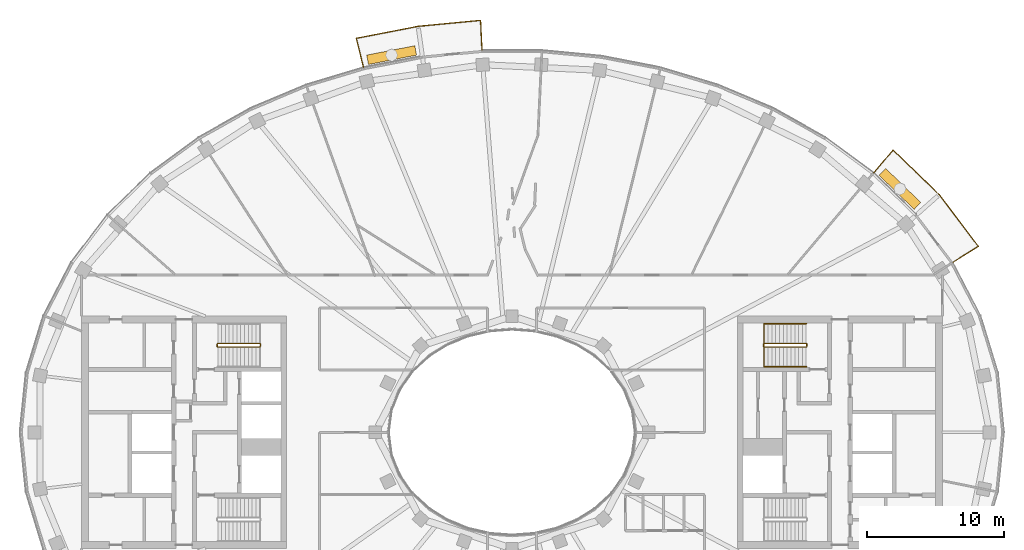
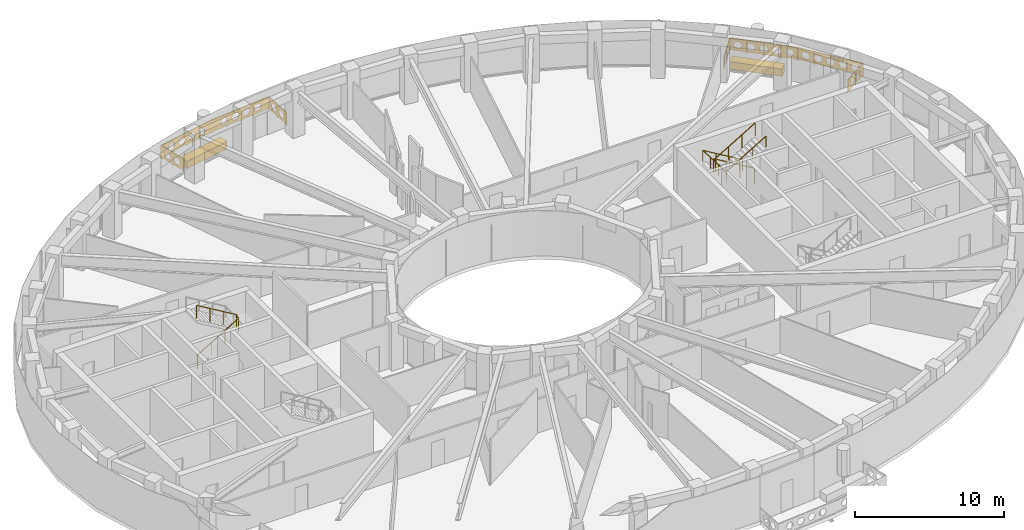
# One storey, part 15 of 16: 5 railings, 2 coverings.
"""IFC4 building model written with IfcOpenShell, lengths in metres."""

import ifcopenshell
import ifcopenshell.guid

model = None  # the IFC model being written
_history = None  # IfcOwnerHistory: only IFC2X3 demands one
_inside = {}  # id of a spatial element -> (the spatial element, [elements in it])
_under = {}  # id of a project, library or spatial element -> (it, [spatial elements below it])
_declared = {}  # id of a project -> (the project, [libraries it declares])
_typed = {}  # id of a type object -> (the type object, [elements of that type])
_made_of = {}  # id of a material, layer set ... -> (it, [elements and type objects made of it])


def new_model(schema):
    """Start an empty IFC model of exactly this schema.

    Asked for "IFC4X3", IfcOpenShell would pick the latest addendum, in which some entities
    have other attributes; the version numbers below select the first issue.
    IFC2X3 requires an IfcOwnerHistory on every rooted entity: one is made here for all.
    """
    global model, _history
    if schema == "IFC4X3":
        model = ifcopenshell.file(schema_version=(4, 3, 0, 0))
    else:
        model = ifcopenshell.file(schema=schema)
    _inside.clear()
    _under.clear()
    _declared.clear()
    _typed.clear()
    _made_of.clear()
    _history = None
    if model.schema == "IFC2X3":
        org = make("IfcOrganization", Name="unknown")
        user = make(
            "IfcPersonAndOrganization",
            ThePerson=make("IfcPerson", FamilyName="unknown"),
            TheOrganization=org,
        )
        app = make(
            "IfcApplication",
            ApplicationDeveloper=org,
            Version="unknown",
            ApplicationFullName="unknown",
            ApplicationIdentifier="unknown",
        )
        _history = make(
            "IfcOwnerHistory",
            OwningUser=user,
            OwningApplication=app,
            ChangeAction="ADDED",
            CreationDate=0,
        )
    return model


def make(cls, **values):
    """One entity of the class cls with the attributes given. An attribute that is None is left unset."""
    return model.create_entity(
        cls, **{name: value for name, value in values.items() if value is not None}
    )


def rooted(cls, **values):
    """An entity with a GlobalId (a new one), such as an element, a storey or a relation."""
    return make(cls, GlobalId=ifcopenshell.guid.new(), OwnerHistory=_history, **values)


def si_unit(unit_type, name, prefix=None):
    """IfcSIUnit, for example si_unit("LENGTHUNIT", "METRE", prefix="MILLI")."""
    return make("IfcSIUnit", UnitType=unit_type, Prefix=prefix, Name=name)


def assignment(units):
    """IfcUnitAssignment: the units of a project."""
    return None if units is None else make("IfcUnitAssignment", Units=units)


def point(xyz):
    """IfcCartesianPoint."""
    return None if xyz is None else make("IfcCartesianPoint", Coordinates=xyz)


def direction(xyz):
    """IfcDirection."""
    return None if xyz is None else make("IfcDirection", DirectionRatios=xyz)


def frame(location, z_axis=None, x_axis=None):
    """IfcAxis2Placement3D, a coordinate frame: its origin and axes. An axis left out is left unset."""
    return make(
        "IfcAxis2Placement3D",
        Location=point(location),
        Axis=direction(z_axis),
        RefDirection=direction(x_axis),
    )


def frame_2d(location, x_axis=None):
    """IfcAxis2Placement2D, a coordinate frame in the plane: its origin and x axis."""
    return make(
        "IfcAxis2Placement2D", Location=point(location), RefDirection=direction(x_axis)
    )


def origin():
    """The frame at (0, 0, 0) with its axes left unset."""
    return frame((0.0, 0.0, 0.0))


def origin_2d():
    """The frame at (0, 0) in the plane with its x axis left unset."""
    return frame_2d((0.0, 0.0))


def place(relative_to, where):
    """IfcLocalPlacement: puts the frame where relative to a parent placement (None: the world)."""
    return make(
        "IfcLocalPlacement", PlacementRelTo=relative_to, RelativePlacement=where
    )


def context(
    kind, dimensions, precision=None, world=None, true_north=None, identifier=None
):
    """IfcGeometricRepresentationContext, for example the 3D "Model" context."""
    return make(
        "IfcGeometricRepresentationContext",
        ContextIdentifier=identifier,
        ContextType=kind,
        CoordinateSpaceDimension=dimensions,
        Precision=precision,
        WorldCoordinateSystem=world,
        TrueNorth=true_north,
    )


def subcontext(parent, identifier, kind, view, scale=None):
    """IfcGeometricRepresentationSubContext, for example "Body" below "Model"."""
    return make(
        "IfcGeometricRepresentationSubContext",
        ContextIdentifier=identifier,
        ContextType=kind,
        ParentContext=parent,
        TargetScale=scale,
        TargetView=view,
    )


def project(units=None, contexts=None):
    """IfcProject with its units and contexts."""
    return rooted(
        "IfcProject",
        Name="project",
        RepresentationContexts=contexts,
        UnitsInContext=assignment(units),
    )


def spatial(cls, under=None, at=None, **own):
    """A site, building, storey or space (cls), placed at a placement, below another one or the project."""
    s = rooted(cls, ObjectPlacement=at, **own)
    if under is not None:
        _under.setdefault(under.id(), (under, []))[1].append(s)
    return s


def polyline(points):
    """IfcPolyline through the points."""
    return make("IfcPolyline", Points=[point(p) for p in points])


def profile(cls, at=None, kind="AREA", **sizes):
    """A parametric profile (cls). Its sizes go by their IFC names, for example OverallWidth=200.0."""
    return make(cls, ProfileType=kind, Position=at, **sizes)


def rectangle(**sizes):
    """IfcRectangleProfileDef."""
    return profile("IfcRectangleProfileDef", **sizes)


def outline(outer, holes=None, kind="AREA"):
    """IfcArbitraryClosedProfileDef: a profile drawn as a closed curve; with holes, ...WithVoids."""
    if holes is None:
        return make("IfcArbitraryClosedProfileDef", ProfileType=kind, OuterCurve=outer)
    return make(
        "IfcArbitraryProfileDefWithVoids",
        ProfileType=kind,
        OuterCurve=outer,
        InnerCurves=holes,
    )


def extrude(swept, where, along, depth):
    """IfcExtrudedAreaSolid: the profile swept, set in the frame where, extruded along a direction by depth."""
    return make(
        "IfcExtrudedAreaSolid",
        SweptArea=swept,
        Position=where,
        ExtrudedDirection=direction(along),
        Depth=depth,
    )


def shape(context_of_items, identifier, shape_type, items):
    """IfcShapeRepresentation: the items that make up one representation, for example the "Body"."""
    return make(
        "IfcShapeRepresentation",
        ContextOfItems=context_of_items,
        RepresentationIdentifier=identifier,
        RepresentationType=shape_type,
        Items=items,
    )


def material(Name=None, Category=None):
    """IfcMaterial."""
    return make("IfcMaterial", Name=Name, Category=Category)


def made_of(thing, what):
    """Note that an element or type object is made of a material, layer set ...; save() writes the relation."""
    if what is not None:
        _made_of.setdefault(what.id(), (what, []))[1].append(thing)
    return thing


def type_object(cls, material=None, **own):
    """A type object (cls), such as IfcWallType, which elements share."""
    return made_of(rooted(cls, **own), material)


def element(
    cls,
    number,
    at=None,
    inside=None,
    cuts=None,
    type_object=None,
    material=None,
    context=None,
    identifier="Body",
    shape_type=None,
    held_by="IfcProductDefinitionShape",
    body=None,
    shapes=None,
    **own,
):
    """One element of the class cls, such as IfcWall. Its Tag is "e" and its number.

    at: its placement. inside: the storey or other place that contains it. cuts: it is an
    opening in that element (IfcRelVoidsElement). A single representation is given by context,
    identifier, shape_type and body (its items); several are given by shapes. held_by: the class
    of the entity that holds the representations. save() writes the other relations.
    """
    e = rooted(cls, Tag="e%d" % number, ObjectPlacement=at, **own)
    if body is not None:
        shapes = [shape(context, identifier, shape_type, body)]
    if shapes is not None:
        e.Representation = make(held_by, Representations=shapes)
    if inside is not None:
        _inside.setdefault(inside.id(), (inside, []))[1].append(e)
    if cuts is not None:
        rooted(
            "IfcRelVoidsElement", RelatingBuildingElement=cuts, RelatedOpeningElement=e
        )
    if type_object is not None:
        _typed.setdefault(type_object.id(), (type_object, []))[1].append(e)
    return made_of(e, material)


def aggregate(whole, parts):
    """IfcRelAggregates: a whole, such as a stair, and the parts it consists of."""
    return rooted("IfcRelAggregates", RelatingObject=whole, RelatedObjects=parts)


def save(model, path):
    """Write the relations noted so far, then the file.

    IfcRelAggregates (storeys below a building ...), IfcRelContainedInSpatialStructure (elements
    in a storey), IfcRelDefinesByType, IfcRelAssociatesMaterial and IfcRelDeclares: one each for
    every whole, place, type object, material and project.
    """
    for whole, parts in _under.values():
        aggregate(whole, parts)
    for where, things in _inside.values():
        rooted(
            "IfcRelContainedInSpatialStructure",
            RelatedElements=things,
            RelatingStructure=where,
        )
    for kind, things in _typed.values():
        rooted("IfcRelDefinesByType", RelatedObjects=things, RelatingType=kind)
    for what, things in _made_of.values():
        rooted("IfcRelAssociatesMaterial", RelatedObjects=things, RelatingMaterial=what)
    for by, libraries in _declared.values():
        rooted("IfcRelDeclares", RelatingContext=by, RelatedDefinitions=libraries)
    model.write(path)


model = new_model("IFC4")

# Units and contexts
model_context = context("Model", 3, precision=1e-05, world=origin(), true_north=direction((0.0, 1.0)))
body_context = subcontext(model_context, "Body", "Model", "MODEL_VIEW")
ifc_project = project(units=[si_unit("LENGTHUNIT", "METRE"), si_unit("AREAUNIT", "SQUARE_METRE"), si_unit("VOLUMEUNIT", "CUBIC_METRE"), si_unit("PLANEANGLEUNIT", "RADIAN"), si_unit("MASSUNIT", "GRAM", prefix="KILO")], contexts=[model_context])

# Site, building, storey
site_placement = place(None, origin())
site = spatial("IfcSite", under=ifc_project, at=site_placement, CompositionType="ELEMENT")
building_placement = place(site_placement, origin())
building = spatial("IfcBuilding", under=site, at=building_placement, Name="Noorbagh Ring Tower", CompositionType="ELEMENT")
storey_placement = place(building_placement, frame((0.0, 0.0, 311.0)))
storey = spatial("IfcBuildingStorey", under=building, at=storey_placement, Name="L67", CompositionType="ELEMENT", Elevation=311.0)

# Railings
ifc_material_1 = material(Name="Stainless steel", Category="steel")
railing_type_1 = type_object("IfcRailingType", Name="CORE-STAIR-GUARD", PredefinedType="GUARDRAIL", material=ifc_material_1)
railing_1_placement = place(storey_placement, frame((-21.580078125, 6.300048828125, 0.0)))
element("IfcRailing", 1, at=railing_1_placement, inside=storey, type_object=railing_type_1, Name="L67 ST1 stair guard", PredefinedType="GUARDRAIL", context=body_context, shape_type="SweptSolid", body=[
    extrude(rectangle(XDim=0.048095703125, YDim=0.048095703125, at=origin_2d()), frame((0.0, 0.0, 1.076171875), z_axis=(0.0, 1.0, 0.0), x_axis=(-1.0, 0.0, 0.0)), (0.0, 0.0, 1.0), 0.14990234375),
    extrude(rectangle(XDim=0.048095703125, YDim=0.048095703125, at=origin_2d()), frame((0.0, 0.14990234375, 1.076171875), z_axis=(0.188775798145, -0.754182335027, 0.628945707965), x_axis=(0.970072785993, 0.242814311512, 0.0)), (0.0, 0.0, 1.0), 0.26513671875),
    extrude(rectangle(XDim=0.048095703125, YDim=0.048095703125, at=origin_2d()), frame((0.050048828125, -0.050048828125, 1.24267578125), z_axis=(0.859308565015, 0.0, 0.511457515432), x_axis=(0.0, 1.0, 0.0)), (0.0, 0.0, 1.0), 3.58447265625),
    extrude(rectangle(XDim=0.048095703125, YDim=0.048095703125, at=origin_2d()), frame((3.130126953125, -0.050048828125, 3.076171875), z_axis=(0.707106781187, 0.707106781187, 0.0), x_axis=(-0.707106781187, 0.707106781187, 0.0)), (0.0, 0.0, 1.0), 0.07080078125),
    extrude(rectangle(XDim=0.048095703125, YDim=0.048095703125, at=origin_2d()), frame((3.18017578125, 0.0, 3.076171875), z_axis=(0.0, 1.0, 0.0), x_axis=(-1.0, 0.0, 0.0)), (0.0, 0.0, 1.0), 0.14990234375),
    extrude(rectangle(XDim=0.048095703125, YDim=0.048095703125, at=origin_2d()), frame((3.18017578125, 0.14990234375, 3.076171875), z_axis=(-0.27628659633, 0.27628659633, 0.920506074601), x_axis=(-0.707106781187, -0.707106781187, 0.0)), (0.0, 0.0, 1.0), 0.18115234375),
    extrude(rectangle(XDim=0.048095703125, YDim=0.048095703125, at=origin_2d()), frame((3.130126953125, 0.199951171875, 3.24267578125), z_axis=(-0.859308565015, 0.0, 0.511457515432), x_axis=(0.0, -1.0, 0.0)), (0.0, 0.0, 1.0), 3.58447265625),
    extrude(rectangle(XDim=0.0419921875, YDim=0.0419921875, at=origin_2d()), origin(), (0.0, 0.0, 1.0), 1.052001953125),
    extrude(rectangle(XDim=0.0419921875, YDim=0.0419921875, at=origin_2d()), frame((1.07666015625, -0.050048828125, 0.77783203125)), (0.0, 0.0, 1.0), 1.052001953125),
    extrude(rectangle(XDim=0.0419921875, YDim=0.0419921875, at=origin_2d()), frame((2.103515625, -0.050048828125, 1.388916015625)), (0.0, 0.0, 1.0), 1.052001953125),
    extrude(rectangle(XDim=0.0419921875, YDim=0.0419921875, at=origin_2d()), frame((3.130126953125, -0.050048828125, 2.0)), (0.0, 0.0, 1.0), 1.052001953125),
    extrude(rectangle(XDim=0.0419921875, YDim=0.0419921875, at=origin_2d()), frame((3.130126953125, 0.199951171875, 2.166748046875)), (0.0, 0.0, 1.0), 1.052001953125),
    extrude(rectangle(XDim=0.0419921875, YDim=0.0419921875, at=origin_2d()), frame((2.103515625, 0.199951171875, 2.77783203125)), (0.0, 0.0, 1.0), 1.052001953125),
    extrude(rectangle(XDim=0.0419921875, YDim=0.0419921875, at=origin_2d()), frame((1.07666015625, 0.199951171875, 3.388916015625)), (0.0, 0.0, 1.0), 1.052001953125),
    extrude(rectangle(XDim=0.0419921875, YDim=0.0419921875, at=origin_2d()), frame((0.050048828125, 0.199951171875, 4.0)), (0.0, 0.0, 1.0), 1.052001953125),
])
railing_2_placement = place(storey_placement, frame((21.580078125, 6.449951171875, 0.0)))
element("IfcRailing", 2, at=railing_2_placement, inside=storey, type_object=railing_type_1, Name="L67 ST3 stair guard", PredefinedType="GUARDRAIL", context=body_context, shape_type="SweptSolid", body=[
    extrude(rectangle(XDim=0.048095703125, YDim=0.048095703125, at=origin_2d()), frame((0.0, 0.0, 1.076171875), z_axis=(0.0, -1.0, 0.0), x_axis=(1.0, 0.0, 0.0)), (0.0, 0.0, 1.0), 0.14990234375),
    extrude(rectangle(XDim=0.048095703125, YDim=0.048095703125, at=origin_2d()), frame((0.0, -0.14990234375, 1.076171875), z_axis=(-0.188775798145, 0.754182335027, 0.628945707965), x_axis=(-0.970072785993, -0.242814311512, 0.0)), (0.0, 0.0, 1.0), 0.26513671875),
    extrude(rectangle(XDim=0.048095703125, YDim=0.048095703125, at=origin_2d()), frame((-0.050048828125, 0.050048828125, 1.24267578125), z_axis=(-0.859308565015, 0.0, 0.511457515432), x_axis=(0.0, -1.0, 0.0)), (0.0, 0.0, 1.0), 3.58447265625),
    extrude(rectangle(XDim=0.048095703125, YDim=0.048095703125, at=origin_2d()), frame((-3.130126953125, 0.050048828125, 3.076171875), z_axis=(-0.707106781187, -0.707106781187, 0.0), x_axis=(0.707106781187, -0.707106781187, 0.0)), (0.0, 0.0, 1.0), 0.07080078125),
    extrude(rectangle(XDim=0.048095703125, YDim=0.048095703125, at=origin_2d()), frame((-3.18017578125, 0.0, 3.076171875), z_axis=(0.0, -1.0, 0.0), x_axis=(1.0, 0.0, 0.0)), (0.0, 0.0, 1.0), 0.14990234375),
    extrude(rectangle(XDim=0.048095703125, YDim=0.048095703125, at=origin_2d()), frame((-3.18017578125, -0.14990234375, 3.076171875), z_axis=(0.27628659633, -0.27628659633, 0.920506074601), x_axis=(0.707106781187, 0.707106781187, 0.0)), (0.0, 0.0, 1.0), 0.18115234375),
    extrude(rectangle(XDim=0.048095703125, YDim=0.048095703125, at=origin_2d()), frame((-3.130126953125, -0.199951171875, 3.24267578125), z_axis=(0.859308565015, 0.0, 0.511457515432), x_axis=(0.0, 1.0, 0.0)), (0.0, 0.0, 1.0), 3.58447265625),
    extrude(rectangle(XDim=0.0419921875, YDim=0.0419921875, at=origin_2d()), origin(), (0.0, 0.0, 1.0), 1.052001953125),
    extrude(rectangle(XDim=0.0419921875, YDim=0.0419921875, at=origin_2d()), frame((-1.07666015625, 0.050048828125, 0.77783203125)), (0.0, 0.0, 1.0), 1.052001953125),
    extrude(rectangle(XDim=0.0419921875, YDim=0.0419921875, at=origin_2d()), frame((-2.103515625, 0.050048828125, 1.388916015625)), (0.0, 0.0, 1.0), 1.052001953125),
    extrude(rectangle(XDim=0.0419921875, YDim=0.0419921875, at=origin_2d()), frame((-3.130126953125, 0.050048828125, 2.0)), (0.0, 0.0, 1.0), 1.052001953125),
    extrude(rectangle(XDim=0.0419921875, YDim=0.0419921875, at=origin_2d()), frame((-3.130126953125, -0.199951171875, 2.166748046875)), (0.0, 0.0, 1.0), 1.052001953125),
    extrude(rectangle(XDim=0.0419921875, YDim=0.0419921875, at=origin_2d()), frame((-2.103515625, -0.199951171875, 2.77783203125)), (0.0, 0.0, 1.0), 1.052001953125),
    extrude(rectangle(XDim=0.0419921875, YDim=0.0419921875, at=origin_2d()), frame((-1.07666015625, -0.199951171875, 3.388916015625)), (0.0, 0.0, 1.0), 1.052001953125),
    extrude(rectangle(XDim=0.0419921875, YDim=0.0419921875, at=origin_2d()), frame((-0.050048828125, -0.199951171875, 4.0)), (0.0, 0.0, 1.0), 1.052001953125),
])
ifc_material_2 = material(Name="Stainless steel", Category="steel")
railing_type_2 = type_object("IfcRailingType", Name="CORE-STAIR-HANDRAIL", PredefinedType="HANDRAIL", material=ifc_material_2)
railing_3_placement = place(storey_placement, frame((21.530029296875, 7.949951171875, 0.166748046875)))
element("IfcRailing", 3, at=railing_3_placement, inside=storey, type_object=railing_type_2, Name="L67 ST3 stair handrail", PredefinedType="HANDRAIL", context=body_context, shape_type="SweptSolid", body=[
    extrude(rectangle(XDim=0.048095703125, YDim=0.048095703125, at=origin_2d()), frame((0.0, 0.0, 0.8759765625), z_axis=(-0.859308565015, 0.0, 0.511457515432), x_axis=(0.0, -1.0, 0.0)), (0.0, 0.0, 1.0), 3.58447265625),
    extrude(rectangle(XDim=0.048095703125, YDim=0.048095703125, at=origin_2d()), frame((-3.080078125, 0.0, 2.708984375), z_axis=(0.0, -0.998601747152, 0.052863509014), x_axis=(1.0, 0.0, 0.0)), (0.0, 0.0, 1.0), 3.154296875),
    extrude(rectangle(XDim=0.048095703125, YDim=0.048095703125, at=origin_2d()), frame((-3.080078125, -3.14990234375, 2.8759765625), z_axis=(0.859308565015, 0.0, 0.511457515432), x_axis=(0.0, 1.0, 0.0)), (0.0, 0.0, 1.0), 3.58447265625),
    extrude(rectangle(XDim=0.0419921875, YDim=0.0419921875, at=origin_2d()), origin(), (0.0, 0.0, 1.0), 0.851806640625),
    extrude(rectangle(XDim=0.0419921875, YDim=0.0419921875, at=origin_2d()), frame((-1.026611328125, 0.0, 0.611083984375)), (0.0, 0.0, 1.0), 0.851806640625),
    extrude(rectangle(XDim=0.0419921875, YDim=0.0419921875, at=origin_2d()), frame((-2.053466796875, 0.0, 1.22216796875)), (0.0, 0.0, 1.0), 0.851806640625),
    extrude(rectangle(XDim=0.0419921875, YDim=0.0419921875, at=origin_2d()), frame((-3.080078125, 0.0, 1.833251953125)), (0.0, 0.0, 1.0), 0.851806640625),
    extrude(rectangle(XDim=0.0419921875, YDim=0.0419921875, at=origin_2d()), frame((-3.080078125, -1.050048828125, 1.888916015625)), (0.0, 0.0, 1.0), 0.851806640625),
    extrude(rectangle(XDim=0.0419921875, YDim=0.0419921875, at=origin_2d()), frame((-3.080078125, -2.099853515625, 1.9443359375)), (0.0, 0.0, 1.0), 0.851806640625),
    extrude(rectangle(XDim=0.0419921875, YDim=0.0419921875, at=origin_2d()), frame((-3.080078125, -3.14990234375, 2.0)), (0.0, 0.0, 1.0), 0.851806640625),
    extrude(rectangle(XDim=0.0419921875, YDim=0.0419921875, at=origin_2d()), frame((-2.053466796875, -3.14990234375, 2.611083984375)), (0.0, 0.0, 1.0), 0.851806640625),
    extrude(rectangle(XDim=0.0419921875, YDim=0.0419921875, at=origin_2d()), frame((-1.026611328125, -3.14990234375, 3.22216796875)), (0.0, 0.0, 1.0), 0.851806640625),
    extrude(rectangle(XDim=0.0419921875, YDim=0.0419921875, at=origin_2d()), frame((0.0, -3.14990234375, 3.833251953125)), (0.0, 0.0, 1.0), 0.851806640625),
])
ifc_material_3 = material(Name="Steel S275 black powder-coated", Category="steel")
railing_type_3 = type_object("IfcRailingType", Name="ENV-GUARD", PredefinedType="GUARDRAIL", material=ifc_material_3)
railing_4_placement = place(storey_placement, frame((32.255126953125, 12.434814453125, 0.0)))
element("IfcRailing", 4, at=railing_4_placement, inside=storey, type_object=railing_type_3, Name="Balcony guard BN01", PredefinedType="GUARDRAIL", context=body_context, shape_type="SweptSolid", body=[
    extrude(rectangle(XDim=0.048095703125, YDim=0.048095703125, at=origin_2d()), frame((0.0, 0.0, 1.076171875), z_axis=(0.844852397829, 0.534999463442, 0.0), x_axis=(-0.534999463442, 0.844852397829, 0.0)), (0.0, 0.0, 1.0), 2.207763671875),
    extrude(rectangle(XDim=0.048095703125, YDim=0.048095703125, at=origin_2d()), frame((1.865234375, 1.18115234375, 1.076171875), z_axis=(-0.604001613322, 0.796983093362, 0.0), x_axis=(-0.796983093362, -0.604001613322, 0.0)), (0.0, 0.0, 1.0), 4.7353515625),
    extrude(rectangle(XDim=0.048095703125, YDim=0.048095703125, at=origin_2d()), frame((-0.994873046875, 4.955078125, 1.076171875), z_axis=(-0.717212632946, 0.696854388766, 0.0), x_axis=(-0.696854388766, -0.717212632946, 0.0)), (0.0, 0.0, 1.0), 4.700927734375),
    extrude(rectangle(XDim=0.048095703125, YDim=0.048095703125, at=origin_2d()), frame((-4.366455078125, 8.23095703125, 1.076171875), z_axis=(-0.646413574048, -0.762987215677, 0.0), x_axis=(0.762987215677, -0.646413574048, 0.0)), (0.0, 0.0, 1.0), 2.205322265625),
    extrude(rectangle(XDim=0.0419921875, YDim=0.0419921875, at=origin_2d()), origin(), (0.0, 0.0, 1.0), 1.052001953125),
    extrude(rectangle(XDim=0.0419921875, YDim=0.0419921875, at=origin_2d()), frame((0.9326171875, 0.590576171875, 0.0)), (0.0, 0.0, 1.0), 1.052001953125),
    extrude(rectangle(XDim=0.0419921875, YDim=0.0419921875, at=origin_2d()), frame((1.865234375, 1.18115234375, 0.0)), (0.0, 0.0, 1.0), 1.052001953125),
    extrude(rectangle(XDim=0.0419921875, YDim=0.0419921875, at=origin_2d()), frame((1.150146484375, 2.12451171875, 0.0)), (0.0, 0.0, 1.0), 1.052001953125),
    extrude(rectangle(XDim=0.0419921875, YDim=0.0419921875, at=origin_2d()), frame((0.43505859375, 3.068115234375, 0.0)), (0.0, 0.0, 1.0), 1.052001953125),
    extrude(rectangle(XDim=0.0419921875, YDim=0.0419921875, at=origin_2d()), frame((-0.27978515625, 4.01171875, 0.0)), (0.0, 0.0, 1.0), 1.052001953125),
    extrude(rectangle(XDim=0.0419921875, YDim=0.0419921875, at=origin_2d()), frame((-0.994873046875, 4.955078125, 0.0)), (0.0, 0.0, 1.0), 1.052001953125),
    extrude(rectangle(XDim=0.0419921875, YDim=0.0419921875, at=origin_2d()), frame((-1.837890625, 5.77392578125, 0.0)), (0.0, 0.0, 1.0), 1.052001953125),
    extrude(rectangle(XDim=0.0419921875, YDim=0.0419921875, at=origin_2d()), frame((-2.6806640625, 6.593017578125, 0.0)), (0.0, 0.0, 1.0), 1.052001953125),
    extrude(rectangle(XDim=0.0419921875, YDim=0.0419921875, at=origin_2d()), frame((-3.5234375, 7.412109375, 0.0)), (0.0, 0.0, 1.0), 1.052001953125),
    extrude(rectangle(XDim=0.0419921875, YDim=0.0419921875, at=origin_2d()), frame((-4.366455078125, 8.23095703125, 0.0)), (0.0, 0.0, 1.0), 1.052001953125),
    extrude(rectangle(XDim=0.0419921875, YDim=0.0419921875, at=origin_2d()), frame((-5.0791015625, 7.3896484375, 0.0)), (0.0, 0.0, 1.0), 1.052001953125),
    extrude(rectangle(XDim=0.0419921875, YDim=0.0419921875, at=origin_2d()), frame((-5.7919921875, 6.54833984375, 0.0)), (0.0, 0.0, 1.0), 1.052001953125),
    extrude(outline(polyline([(0.0, 0.10009765625), (2.207763671875, 0.10009765625), (2.207763671875, 1.031982421875), (0.0, 1.031982421875), (0.0, 0.10009765625)]), holes=[polyline([(0.9638671875, 0.56591796875), (0.808837890625, 0.83447265625), (0.498779296875, 0.83447265625), (0.343994140625, 0.56591796875), (0.498779296875, 0.297607421875), (0.808837890625, 0.297607421875), (0.9638671875, 0.56591796875)]), polyline([(1.86376953125, 0.56591796875), (1.708984375, 0.83447265625), (1.39892578125, 0.83447265625), (1.243896484375, 0.56591796875), (1.39892578125, 0.297607421875), (1.708984375, 0.297607421875), (1.86376953125, 0.56591796875)])]), frame((-0.00537109375, 0.008544921875, 0.0), z_axis=(0.534999463442, -0.844852397829, 0.0), x_axis=(0.844852397829, 0.534999463442, 0.0)), (0.0, 0.0, 1.0), 0.02001953125),
    extrude(outline(polyline([(0.0, 0.10009765625), (4.7353515625, 0.10009765625), (4.7353515625, 1.031982421875), (0.0, 1.031982421875), (0.0, 0.10009765625)]), holes=[polyline([(0.877685546875, 0.56591796875), (0.72265625, 0.83447265625), (0.41259765625, 0.83447265625), (0.257568359375, 0.56591796875), (0.41259765625, 0.297607421875), (0.72265625, 0.297607421875), (0.877685546875, 0.56591796875)]), polyline([(1.777587890625, 0.56591796875), (1.62255859375, 0.83447265625), (1.312744140625, 0.83447265625), (1.15771484375, 0.56591796875), (1.312744140625, 0.297607421875), (1.62255859375, 0.297607421875), (1.777587890625, 0.56591796875)]), polyline([(2.677734375, 0.56591796875), (2.522705078125, 0.83447265625), (2.212646484375, 0.83447265625), (2.0576171875, 0.56591796875), (2.212646484375, 0.297607421875), (2.522705078125, 0.297607421875), (2.677734375, 0.56591796875)]), polyline([(3.57763671875, 0.56591796875), (3.422607421875, 0.83447265625), (3.112548828125, 0.83447265625), (2.95751953125, 0.56591796875), (3.112548828125, 0.297607421875), (3.422607421875, 0.297607421875), (3.57763671875, 0.56591796875)]), polyline([(4.4775390625, 0.56591796875), (4.32275390625, 0.83447265625), (4.0126953125, 0.83447265625), (3.857666015625, 0.56591796875), (4.0126953125, 0.297607421875), (4.32275390625, 0.297607421875), (4.4775390625, 0.56591796875)])]), frame((1.857177734375, 1.175048828125, 0.0), z_axis=(0.796983093362, 0.604001613322, 0.0), x_axis=(-0.604001613322, 0.796983093362, 0.0)), (0.0, 0.0, 1.0), 0.02001953125),
    extrude(outline(polyline([(0.0, 0.10009765625), (4.700927734375, 0.10009765625), (4.700927734375, 1.031982421875), (0.0, 1.031982421875), (0.0, 0.10009765625)]), holes=[polyline([(0.860595703125, 0.56591796875), (0.70556640625, 0.83447265625), (0.3955078125, 0.83447265625), (0.240478515625, 0.56591796875), (0.3955078125, 0.297607421875), (0.70556640625, 0.297607421875), (0.860595703125, 0.56591796875)]), polyline([(1.760498046875, 0.56591796875), (1.60546875, 0.83447265625), (1.29541015625, 0.83447265625), (1.140380859375, 0.56591796875), (1.29541015625, 0.297607421875), (1.60546875, 0.297607421875), (1.760498046875, 0.56591796875)]), polyline([(2.660400390625, 0.56591796875), (2.50537109375, 0.83447265625), (2.195556640625, 0.83447265625), (2.04052734375, 0.56591796875), (2.195556640625, 0.297607421875), (2.50537109375, 0.297607421875), (2.660400390625, 0.56591796875)]), polyline([(3.560546875, 0.56591796875), (3.405517578125, 0.83447265625), (3.095458984375, 0.83447265625), (2.9404296875, 0.56591796875), (3.095458984375, 0.297607421875), (3.405517578125, 0.297607421875), (3.560546875, 0.56591796875)]), polyline([(4.46044921875, 0.56591796875), (4.305419921875, 0.83447265625), (3.995361328125, 0.83447265625), (3.840576171875, 0.56591796875), (3.995361328125, 0.297607421875), (4.305419921875, 0.297607421875), (4.46044921875, 0.56591796875)])]), frame((-1.001953125, 4.947998046875, 0.0), z_axis=(0.696854388766, 0.717212632946, 0.0), x_axis=(-0.717212632946, 0.696854388766, 0.0)), (0.0, 0.0, 1.0), 0.02001953125),
    extrude(outline(polyline([(0.0, 0.10009765625), (2.205322265625, 0.10009765625), (2.205322265625, 1.031982421875), (0.0, 1.031982421875), (0.0, 0.10009765625)]), holes=[polyline([(0.962646484375, 0.56591796875), (0.8076171875, 0.83447265625), (0.49755859375, 0.83447265625), (0.342529296875, 0.56591796875), (0.49755859375, 0.297607421875), (0.8076171875, 0.297607421875), (0.962646484375, 0.56591796875)]), polyline([(1.862548828125, 0.56591796875), (1.707763671875, 0.83447265625), (1.397705078125, 0.83447265625), (1.24267578125, 0.56591796875), (1.397705078125, 0.297607421875), (1.707763671875, 0.297607421875), (1.862548828125, 0.56591796875)])]), frame((-4.35888671875, 8.224609375, 0.0), z_axis=(-0.762987215677, 0.646413574048, 0.0), x_axis=(-0.646413574048, -0.762987215677, 0.0)), (0.0, 0.0, 1.0), 0.02001953125),
])
railing_5_placement = place(storey_placement, frame((-2.193115234375, 27.947998046875, 0.0)))
element("IfcRailing", 5, at=railing_5_placement, inside=storey, type_object=railing_type_3, Name="Balcony guard BN04", PredefinedType="GUARDRAIL", context=body_context, shape_type="SweptSolid", body=[
    extrude(rectangle(XDim=0.048095703125, YDim=0.048095703125, at=origin_2d()), frame((0.0, 0.0, 1.076171875), z_axis=(-0.047554616162, 0.998868639252, 0.0), x_axis=(-0.998868639252, -0.047554616162, 0.0)), (0.0, 0.0, 1.0), 2.202392578125),
    extrude(rectangle(XDim=0.048095703125, YDim=0.048095703125, at=origin_2d()), frame((-0.104736328125, 2.199951171875, 1.076171875), z_axis=(-0.995477555764, -0.094997031379, 0.0), x_axis=(0.094997031379, -0.995477555764, 0.0)), (0.0, 0.0, 1.0), 4.59765625),
    extrude(rectangle(XDim=0.048095703125, YDim=0.048095703125, at=origin_2d()), frame((-4.681640625, 1.76318359375, 1.076171875), z_axis=(-0.981625049064, -0.1908199755, 0.0), x_axis=(0.1908199755, -0.981625049064, 0.0)), (0.0, 0.0, 1.0), 4.603271484375),
    extrude(rectangle(XDim=0.048095703125, YDim=0.048095703125, at=origin_2d()), frame((-9.200439453125, 0.884765625, 1.076171875), z_axis=(0.239848558412, -0.970810315679, 0.0), x_axis=(0.970810315679, 0.239848558412, 0.0)), (0.0, 0.0, 1.0), 2.20263671875),
    extrude(rectangle(XDim=0.0419921875, YDim=0.0419921875, at=origin_2d()), origin(), (0.0, 0.0, 1.0), 1.052001953125),
    extrude(rectangle(XDim=0.0419921875, YDim=0.0419921875, at=origin_2d()), frame((-0.05224609375, 1.10009765625, 0.0)), (0.0, 0.0, 1.0), 1.052001953125),
    extrude(rectangle(XDim=0.0419921875, YDim=0.0419921875, at=origin_2d()), frame((-0.104736328125, 2.199951171875, 0.0)), (0.0, 0.0, 1.0), 1.052001953125),
    extrude(rectangle(XDim=0.0419921875, YDim=0.0419921875, at=origin_2d()), frame((-1.2490234375, 2.0908203125, 0.0)), (0.0, 0.0, 1.0), 1.052001953125),
    extrude(rectangle(XDim=0.0419921875, YDim=0.0419921875, at=origin_2d()), frame((-2.39306640625, 1.9814453125, 0.0)), (0.0, 0.0, 1.0), 1.052001953125),
    extrude(rectangle(XDim=0.0419921875, YDim=0.0419921875, at=origin_2d()), frame((-3.537353515625, 1.872314453125, 0.0)), (0.0, 0.0, 1.0), 1.052001953125),
    extrude(rectangle(XDim=0.0419921875, YDim=0.0419921875, at=origin_2d()), frame((-4.681640625, 1.76318359375, 0.0)), (0.0, 0.0, 1.0), 1.052001953125),
    extrude(rectangle(XDim=0.0419921875, YDim=0.0419921875, at=origin_2d()), frame((-5.811279296875, 1.54345703125, 0.0)), (0.0, 0.0, 1.0), 1.052001953125),
    extrude(rectangle(XDim=0.0419921875, YDim=0.0419921875, at=origin_2d()), frame((-6.94091796875, 1.323974609375, 0.0)), (0.0, 0.0, 1.0), 1.052001953125),
    extrude(rectangle(XDim=0.0419921875, YDim=0.0419921875, at=origin_2d()), frame((-8.07080078125, 1.1044921875, 0.0)), (0.0, 0.0, 1.0), 1.052001953125),
    extrude(rectangle(XDim=0.0419921875, YDim=0.0419921875, at=origin_2d()), frame((-9.200439453125, 0.884765625, 0.0)), (0.0, 0.0, 1.0), 1.052001953125),
    extrude(rectangle(XDim=0.0419921875, YDim=0.0419921875, at=origin_2d()), frame((-8.936279296875, -0.1845703125, 0.0)), (0.0, 0.0, 1.0), 1.052001953125),
    extrude(rectangle(XDim=0.0419921875, YDim=0.0419921875, at=origin_2d()), frame((-8.672119140625, -1.253662109375, 0.0)), (0.0, 0.0, 1.0), 1.052001953125),
    extrude(outline(polyline([(0.0, 0.10009765625), (2.202392578125, 0.10009765625), (2.202392578125, 1.031982421875), (0.0, 1.031982421875), (0.0, 0.10009765625)]), holes=[polyline([(0.961181640625, 0.56591796875), (0.80615234375, 0.83447265625), (0.496337890625, 0.83447265625), (0.34130859375, 0.56591796875), (0.496337890625, 0.297607421875), (0.80615234375, 0.297607421875), (0.961181640625, 0.56591796875)]), polyline([(1.861328125, 0.56591796875), (1.706298828125, 0.83447265625), (1.396240234375, 0.83447265625), (1.2412109375, 0.56591796875), (1.396240234375, 0.297607421875), (1.706298828125, 0.297607421875), (1.861328125, 0.56591796875)])]), frame((-0.010009765625, -0.00048828125, 0.0), z_axis=(0.998868639252, 0.047554616162, 0.0), x_axis=(-0.047554616162, 0.998868639252, 0.0)), (0.0, 0.0, 1.0), 0.02001953125),
    extrude(outline(polyline([(0.0, 0.10009765625), (4.59765625, 0.10009765625), (4.59765625, 1.031982421875), (0.0, 1.031982421875), (0.0, 0.10009765625)]), holes=[polyline([(1.2587890625, 0.56591796875), (1.103759765625, 0.83447265625), (0.7939453125, 0.83447265625), (0.638916015625, 0.56591796875), (0.7939453125, 0.297607421875), (1.103759765625, 0.297607421875), (1.2587890625, 0.56591796875)]), polyline([(2.158935546875, 0.56591796875), (2.00390625, 0.83447265625), (1.69384765625, 0.83447265625), (1.538818359375, 0.56591796875), (1.69384765625, 0.297607421875), (2.00390625, 0.297607421875), (2.158935546875, 0.56591796875)]), polyline([(3.058837890625, 0.56591796875), (2.90380859375, 0.83447265625), (2.59375, 0.83447265625), (2.43896484375, 0.56591796875), (2.59375, 0.297607421875), (2.90380859375, 0.297607421875), (3.058837890625, 0.56591796875)]), polyline([(3.958740234375, 0.56591796875), (3.803955078125, 0.83447265625), (3.493896484375, 0.83447265625), (3.3388671875, 0.56591796875), (3.493896484375, 0.297607421875), (3.803955078125, 0.297607421875), (3.958740234375, 0.56591796875)])]), frame((-0.103759765625, 2.18994140625, 0.0), z_axis=(-0.094997031379, 0.995477555764, 0.0), x_axis=(-0.995477555764, -0.094997031379, 0.0)), (0.0, 0.0, 1.0), 0.02001953125),
    extrude(outline(polyline([(0.0, 0.10009765625), (4.603271484375, 0.10009765625), (4.603271484375, 1.031982421875), (0.0, 1.031982421875), (0.0, 0.10009765625)]), holes=[polyline([(1.26171875, 0.56591796875), (1.106689453125, 0.83447265625), (0.796630859375, 0.83447265625), (0.6416015625, 0.56591796875), (0.796630859375, 0.297607421875), (1.106689453125, 0.297607421875), (1.26171875, 0.56591796875)]), polyline([(2.16162109375, 0.56591796875), (2.006591796875, 0.83447265625), (1.69677734375, 0.83447265625), (1.541748046875, 0.56591796875), (1.69677734375, 0.297607421875), (2.006591796875, 0.297607421875), (2.16162109375, 0.56591796875)]), polyline([(3.061767578125, 0.56591796875), (2.90673828125, 0.83447265625), (2.5966796875, 0.83447265625), (2.441650390625, 0.56591796875), (2.5966796875, 0.297607421875), (2.90673828125, 0.297607421875), (3.061767578125, 0.56591796875)]), polyline([(3.961669921875, 0.56591796875), (3.806640625, 0.83447265625), (3.49658203125, 0.83447265625), (3.341796875, 0.56591796875), (3.49658203125, 0.297607421875), (3.806640625, 0.297607421875), (3.961669921875, 0.56591796875)])]), frame((-4.6796875, 1.75341796875, 0.0), z_axis=(-0.1908199755, 0.981625049064, 0.0), x_axis=(-0.981625049064, -0.1908199755, 0.0)), (0.0, 0.0, 1.0), 0.02001953125),
    extrude(outline(polyline([(0.0, 0.10009765625), (2.20263671875, 0.10009765625), (2.20263671875, 1.031982421875), (0.0, 1.031982421875), (0.0, 0.10009765625)]), holes=[polyline([(0.96142578125, 0.56591796875), (0.806396484375, 0.83447265625), (0.496337890625, 0.83447265625), (0.34130859375, 0.56591796875), (0.496337890625, 0.297607421875), (0.806396484375, 0.297607421875), (0.96142578125, 0.56591796875)]), polyline([(1.861328125, 0.56591796875), (1.706298828125, 0.83447265625), (1.396240234375, 0.83447265625), (1.241455078125, 0.56591796875), (1.396240234375, 0.297607421875), (1.706298828125, 0.297607421875), (1.861328125, 0.56591796875)])]), frame((-9.190673828125, 0.88720703125, 0.0), z_axis=(-0.970810315679, -0.239848558412, 0.0), x_axis=(0.239848558412, -0.970810315679, 0.0)), (0.0, 0.0, 1.0), 0.02001953125),
])

# Coverings
ifc_material_4 = material(Name="Concrete C30/37 planter with soil", Category="concrete")
covering_type = type_object("IfcCoveringType", Name="ENV-PLANTER", PredefinedType="CLADDING", material=ifc_material_4)
covering_1_placement = place(storey_placement, frame((28.3837890625, 17.814208984375, 0.0), z_axis=(0.0, 0.0, 1.0), x_axis=(-0.717224548362, 0.696842125038, 0.0)))
element("IfcCovering", 6, at=covering_1_placement, inside=storey, type_object=covering_type, Name="PLANTER BN01", ObjectType="PLANTER", PredefinedType="CLADDING", context=body_context, shape_type="SweptSolid", body=[
    extrude(rectangle(XDim=3.584228515625, YDim=0.699951171875, at=origin_2d()), origin(), (0.0, 0.0, 1.0), 0.60009765625),
])
covering_2_placement = place(storey_placement, frame((-8.807861328125, 27.603515625, 0.0), z_axis=(0.0, 0.0, 1.0), x_axis=(-0.981624952922, -0.190820470077, 0.0)))
element("IfcCovering", 7, at=covering_2_placement, inside=storey, type_object=covering_type, Name="PLANTER BN04", ObjectType="PLANTER", PredefinedType="CLADDING", context=body_context, shape_type="SweptSolid", body=[
    extrude(rectangle(XDim=3.586181640625, YDim=0.699951171875, at=origin_2d()), origin(), (0.0, 0.0, 1.0), 0.60009765625),
])

save(model, "model.ifc")
